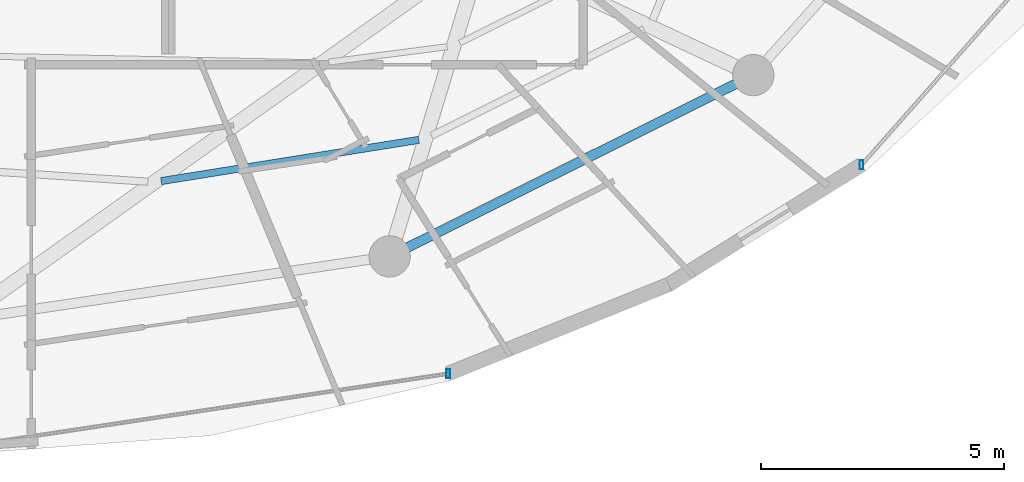
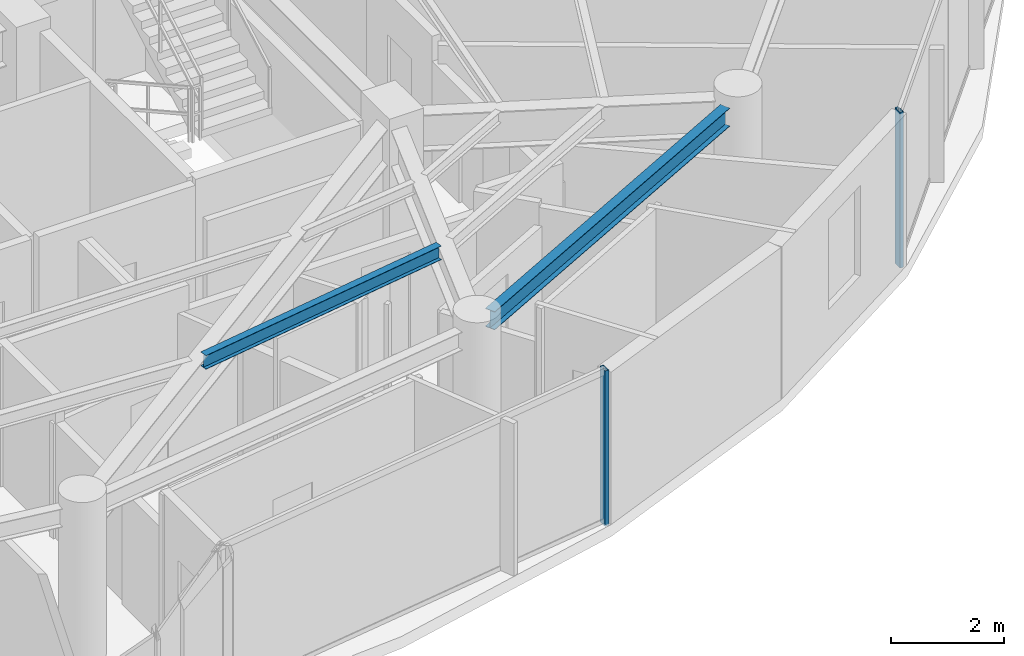
# One storey, part 11 of 30: 2 beams, 2 members, 2 elements without a shape of their own.
"""IFC4 building model written with IfcOpenShell, lengths in metres."""

from ifc_helpers import new_model, si_unit, direction, frame, origin, origin_2d, place, context, subcontext, project, spatial, hollow_rectangle, i_section, extrude, material, material_profile, profile_set, type_object, element, aggregate, save


model = new_model("IFC4")

# Units and contexts
model_context = context("Model", 3, precision=1e-05, world=origin(), true_north=direction((0.0, 1.0)))
body_context = subcontext(model_context, "Body", "Model", "MODEL_VIEW")
ifc_project = project(units=[si_unit("LENGTHUNIT", "METRE"), si_unit("AREAUNIT", "SQUARE_METRE"), si_unit("VOLUMEUNIT", "CUBIC_METRE"), si_unit("PLANEANGLEUNIT", "RADIAN"), si_unit("MASSUNIT", "GRAM", prefix="KILO")], contexts=[model_context])

# Site, building, storey
site_placement = place(None, origin())
site = spatial("IfcSite", under=ifc_project, at=site_placement, CompositionType="ELEMENT")
building_placement = place(site_placement, origin())
building = spatial("IfcBuilding", under=site, at=building_placement, Name="Vorneva Point Tower", CompositionType="ELEMENT")
storey_placement = place(building_placement, frame((0.0, 0.0, 252.0)))
storey = spatial("IfcBuildingStorey", under=building, at=storey_placement, Name="L68", CompositionType="ELEMENT", Elevation=252.0)

# Beams
ifc_material_1 = material(Name="Steel S355", Category="steel")
ifc_material_profile_1 = material_profile(ifc_material_1, i_section(OverallWidth=0.14892578125, OverallDepth=0.298095703125, WebThickness=0.005615234375, FlangeThickness=0.008056640625, at=origin_2d()), Name="30B1")
ifc_profile_set_1 = profile_set([ifc_material_profile_1], Name="Steel S355")
beam_type_1 = type_object("IfcBeamType", Name="BM-JST-30B1", PredefinedType="JOIST", material=ifc_profile_set_1)
beam_1_placement = place(storey_placement, frame((42.121826171875, 11.658203125, 3.14111328125), z_axis=(0.987444038717, 0.157969207134, 0.0), x_axis=(-0.157969207134, 0.987444038717, 0.0)))
element("IfcBeam", 1, at=beam_1_placement, inside=storey, type_object=beam_type_1, Name="L68 Secondary Floor Beam 1.13", PredefinedType="JOIST", context=body_context, shape_type="SweptSolid", body=[
    extrude(i_section(OverallWidth=0.14892578125, OverallDepth=0.298095703125, WebThickness=0.005615234375, FlangeThickness=0.008056640625, at=origin_2d()), origin(), (0.0, 0.0, 1.0), 5.365966796875),
])
ifc_material_profile_2 = material_profile(ifc_material_1, i_section(OverallWidth=0.198974609375, OverallDepth=0.39599609375, WebThickness=0.007080078125, FlangeThickness=0.010986328125, at=origin_2d()), Name="40B1")
ifc_profile_set_2 = profile_set([ifc_material_profile_2], Name="Steel S355")
beam_type_2 = type_object("IfcBeamType", Name="BM-SPN-40B1", PredefinedType="SPANDREL", material=ifc_profile_set_2)
beam_2_placement = place(storey_placement, frame((47.187744140625, 10.292236328125, 3.092041015625), z_axis=(0.894932011528, 0.446202526599, 0.0), x_axis=(-0.446202526599, 0.894932011528, 0.0)))
element("IfcBeam", 2, at=beam_2_placement, inside=storey, type_object=beam_type_2, Name="L68 Perimeter Spandrel Ring Beam 14", PredefinedType="SPANDREL", context=body_context, shape_type="SweptSolid", body=[
    extrude(i_section(OverallWidth=0.198974609375, OverallDepth=0.39599609375, WebThickness=0.007080078125, FlangeThickness=0.010986328125, at=origin_2d()), origin(), (0.0, 0.0, 1.0), 7.535888671875),
])

# Curtain wall, member
ifc_material_2 = material(Name="Pale anodised aluminium", Category="aluminium")
curtain_wall_type = type_object("IfcCurtainWallType", Name="CW-RES-SYS", PredefinedType="NOTDEFINED", material=ifc_material_2)
curtain_wall_1_placement = place(storey_placement, origin())
curtain_wall_1 = element("IfcCurtainWall", 3, at=curtain_wall_1_placement, inside=storey, type_object=curtain_wall_type, Name="L68 Unitised Curtain Wall CW-L68-R01", PredefinedType="NOTDEFINED")
ifc_material_profile_3 = material_profile(ifc_material_2, hollow_rectangle(XDim=0.074951171875, YDim=0.179931640625, WallThickness=0.00390625, at=origin_2d()), Name="AL-MUL 180x75x4")
ifc_profile_set_3 = profile_set([ifc_material_profile_3], Name="Pale anodised aluminium")
member_type = type_object("IfcMemberType", Name="CW-MUL-180", PredefinedType="MULLION", material=ifc_profile_set_3)
member_1_placement = place(storey_placement, frame((56.526123046875, 11.9921875, -0.0400390625), z_axis=(0.0, 0.0, 1.0), x_axis=(1.0, 0.0, 0.0)))
member_1 = element("IfcMember", 4, at=member_1_placement, type_object=member_type, Name="CW-L68-R01 Mullion 01", PredefinedType="MULLION", context=body_context, shape_type="SweptSolid", body=[
    extrude(hollow_rectangle(XDim=0.074951171875, YDim=0.179931640625, WallThickness=0.00390625, at=origin_2d()), origin(), (0.0, 0.0, 1.0), 3.360107421875),
])
aggregate(curtain_wall_1, [member_1])

curtain_wall_2_placement = place(storey_placement, origin())
curtain_wall_2 = element("IfcCurtainWall", 5, at=curtain_wall_2_placement, inside=storey, type_object=curtain_wall_type, Name="L68 Unitised Curtain Wall CW-L68-R04", PredefinedType="NOTDEFINED")
member_2_placement = place(storey_placement, frame((48.0263671875, 7.697998046875, -0.0400390625), z_axis=(0.0, 0.0, 1.0), x_axis=(1.0, 0.0, 0.0)))
member_2 = element("IfcMember", 6, at=member_2_placement, type_object=member_type, Name="CW-L68-R04 Mullion 03", PredefinedType="MULLION", context=body_context, shape_type="SweptSolid", body=[
    extrude(hollow_rectangle(XDim=0.074951171875, YDim=0.179931640625, WallThickness=0.00390625, at=origin_2d()), origin(), (0.0, 0.0, 1.0), 3.360107421875),
])
aggregate(curtain_wall_2, [member_2])

save(model, "model.ifc")
